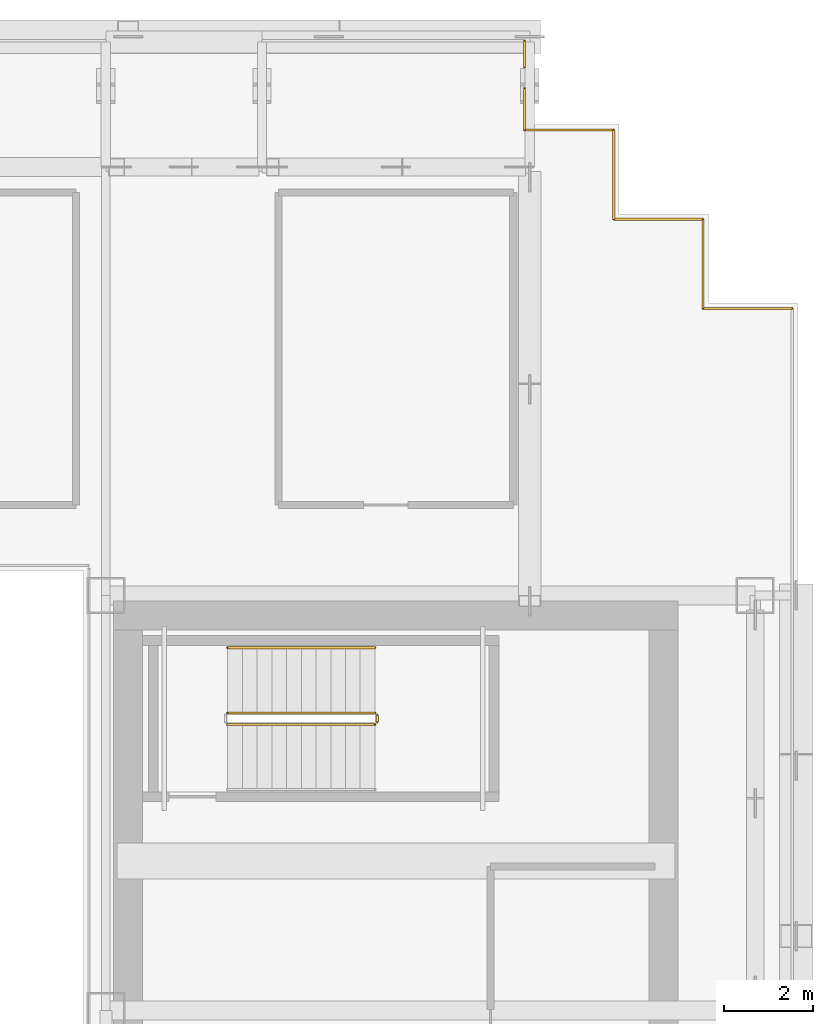
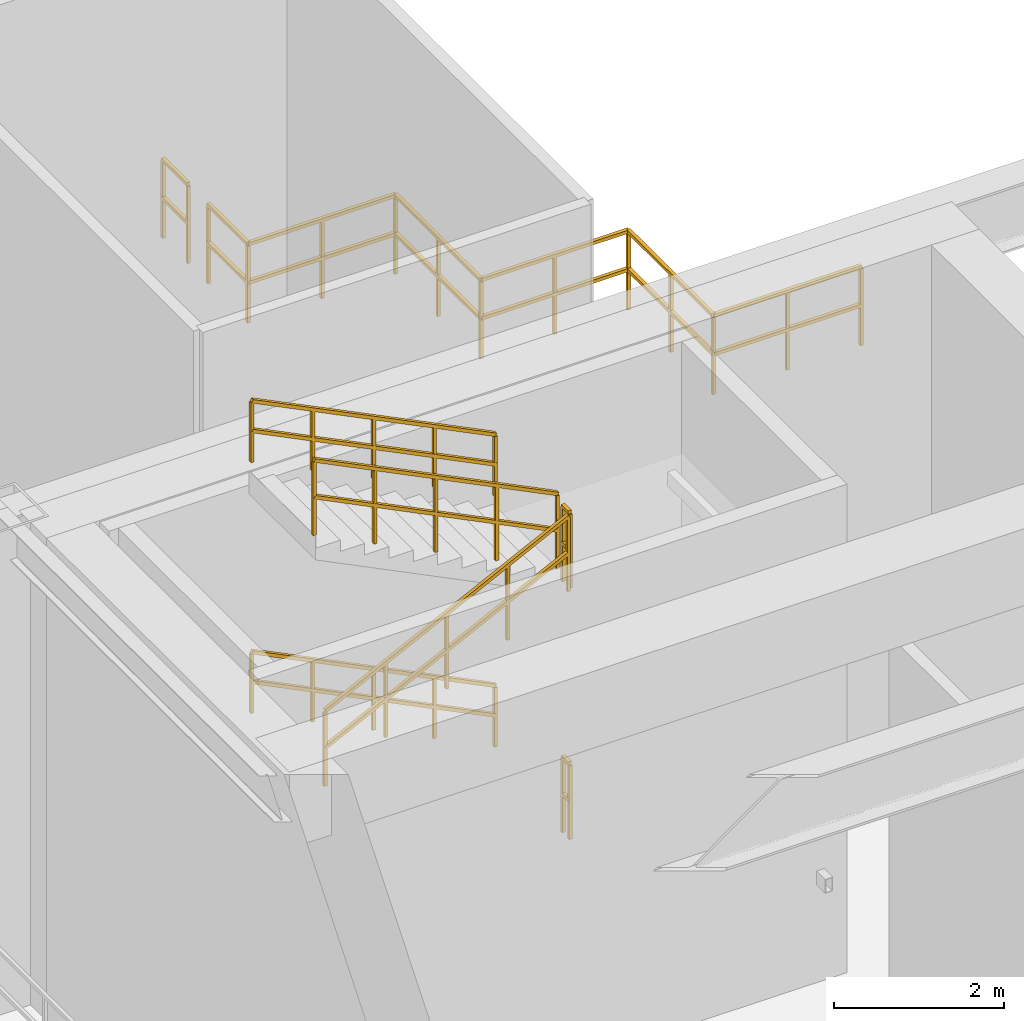
# One storey, part 14 of 14: 13 railings.
"""IFC4 building model written with IfcOpenShell, lengths in metres."""

from ifc_helpers import new_model, si_unit, direction, frame, origin, origin_2d, place, context, subcontext, project, spatial, rectangle, extrude, material, type_object, element, save


model = new_model("IFC4")

# Units and contexts
model_context = context("Model", 3, precision=1e-05, world=origin(), true_north=direction((0.0, 1.0)))
body_context = subcontext(model_context, "Body", "Model", "MODEL_VIEW")
ifc_project = project(units=[si_unit("LENGTHUNIT", "METRE"), si_unit("AREAUNIT", "SQUARE_METRE"), si_unit("VOLUMEUNIT", "CUBIC_METRE"), si_unit("PLANEANGLEUNIT", "RADIAN"), si_unit("MASSUNIT", "GRAM", prefix="KILO")], contexts=[model_context])

# Site, building, storey
site_placement = place(None, origin())
site = spatial("IfcSite", under=ifc_project, at=site_placement, CompositionType="ELEMENT")
building_placement = place(site_placement, origin())
building = spatial("IfcBuilding", under=site, at=building_placement, Name="Ocotamira Hotel", CompositionType="ELEMENT")
storey_placement = place(building_placement, frame((0.0, 0.0, 151.199951171875)))
storey = spatial("IfcBuildingStorey", under=building, at=storey_placement, Name="L38", CompositionType="ELEMENT", Elevation=151.199951171875)

# Railings
ifc_material_1 = material(Name="Brushed stainless steel handrail", Category="steel")
railing_type_1 = type_object("IfcRailingType", Name="RL-HAND-900", PredefinedType="HANDRAIL", material=ifc_material_1)
railing_1_placement = place(storey_placement, frame((46.530029296875, 36.280029296875, 2.12744140625)))
element("IfcRailing", 1, at=railing_1_placement, inside=storey, type_object=railing_type_1, Name="L38 ST-4 stair handrail 2", PredefinedType="HANDRAIL", context=body_context, shape_type="SweptSolid", body=[
    extrude(rectangle(XDim=0.048095703125, YDim=0.048095703125, at=origin_2d()), frame((0.0, 0.0, 0.8759765625), z_axis=(-0.895920123917, 0.0, 0.444215186098), x_axis=(0.0, -1.0, 0.0)), (0.0, 0.0, 1.0), 3.683349609375),
    extrude(rectangle(XDim=0.048095703125, YDim=0.048095703125, at=origin_2d()), frame((0.0, 0.0, 0.449951171875), z_axis=(-0.895920123917, 0.0, 0.444215186098), x_axis=(0.0, -1.0, 0.0)), (0.0, 0.0, 1.0), 3.683349609375),
    extrude(rectangle(XDim=0.0419921875, YDim=0.0419921875, at=origin_2d()), origin(), (0.0, 0.0, 1.0), 0.851806640625),
    extrude(rectangle(XDim=0.0419921875, YDim=0.0419921875, at=origin_2d()), frame((-0.824951171875, 0.0, 0.4091796875)), (0.0, 0.0, 1.0), 0.851806640625),
    extrude(rectangle(XDim=0.0419921875, YDim=0.0419921875, at=origin_2d()), frame((-1.64990234375, 0.0, 0.818115234375)), (0.0, 0.0, 1.0), 0.851806640625),
    extrude(rectangle(XDim=0.0419921875, YDim=0.0419921875, at=origin_2d()), frame((-2.47509765625, 0.0, 1.22705078125)), (0.0, 0.0, 1.0), 0.851806640625),
    extrude(rectangle(XDim=0.0419921875, YDim=0.0419921875, at=origin_2d()), frame((-3.300048828125, 0.0, 1.63623046875)), (0.0, 0.0, 1.0), 0.851806640625),
])
railing_2_placement = place(storey_placement, frame((46.530029296875, 36.280029296875, 5.727294921875)))
element("IfcRailing", 2, at=railing_2_placement, inside=storey, type_object=railing_type_1, Name="L38 ST-4 stair handrail 4", PredefinedType="HANDRAIL", context=body_context, shape_type="SweptSolid", body=[
    extrude(rectangle(XDim=0.048095703125, YDim=0.048095703125, at=origin_2d()), frame((0.0, 0.0, 0.8759765625), z_axis=(-0.895893744519, 0.0, 0.4442683857), x_axis=(0.0, -1.0, 0.0)), (0.0, 0.0, 1.0), 3.68359375),
    extrude(rectangle(XDim=0.048095703125, YDim=0.048095703125, at=origin_2d()), frame((0.0, 0.0, 0.449951171875), z_axis=(-0.895893744519, 0.0, 0.4442683857), x_axis=(0.0, -1.0, 0.0)), (0.0, 0.0, 1.0), 3.68359375),
    extrude(rectangle(XDim=0.0419921875, YDim=0.0419921875, at=origin_2d()), origin(), (0.0, 0.0, 1.0), 0.851806640625),
    extrude(rectangle(XDim=0.0419921875, YDim=0.0419921875, at=origin_2d()), frame((-0.824951171875, 0.0, 0.4091796875)), (0.0, 0.0, 1.0), 0.851806640625),
    extrude(rectangle(XDim=0.0419921875, YDim=0.0419921875, at=origin_2d()), frame((-1.64990234375, 0.0, 0.818359375)), (0.0, 0.0, 1.0), 0.851806640625),
    extrude(rectangle(XDim=0.0419921875, YDim=0.0419921875, at=origin_2d()), frame((-2.47509765625, 0.0, 1.227294921875)), (0.0, 0.0, 1.0), 0.851806640625),
    extrude(rectangle(XDim=0.0419921875, YDim=0.0419921875, at=origin_2d()), frame((-3.300048828125, 0.0, 1.636474609375)), (0.0, 0.0, 1.0), 0.851806640625),
])
ifc_material_2 = material(Name="Pale-metal stainless steel guardrail", Category="steel")
railing_type_2 = type_object("IfcRailingType", Name="RL-PERIM-1150", PredefinedType="GUARDRAIL", material=ifc_material_2)
railing_3_placement = place(storey_placement, frame((49.8798828125, 49.8798828125, 0.0)))
element("IfcRailing", 3, at=railing_3_placement, inside=storey, type_object=railing_type_2, Name="L38 Perimeter Guardrail WSLOT1-17", PredefinedType="GUARDRAIL", context=body_context, shape_type="SweptSolid", body=[
    extrude(rectangle(XDim=0.048095703125, YDim=0.048095703125, at=origin_2d()), frame((0.0, 0.0, 1.1259765625), z_axis=(0.0, -1.0, 0.0), x_axis=(1.0, 0.0, 0.0)), (0.0, 0.0, 1.0), 0.59228515625),
    extrude(rectangle(XDim=0.048095703125, YDim=0.048095703125, at=origin_2d()), frame((0.0, 0.0, 0.574951171875), z_axis=(0.0, -1.0, 0.0), x_axis=(1.0, 0.0, 0.0)), (0.0, 0.0, 1.0), 0.59228515625),
    extrude(rectangle(XDim=0.0419921875, YDim=0.0419921875, at=origin_2d()), origin(), (0.0, 0.0, 1.0), 1.101806640625),
    extrude(rectangle(XDim=0.0419921875, YDim=0.0419921875, at=origin_2d()), frame((0.0, -0.59228515625, 0.0)), (0.0, 0.0, 1.0), 1.101806640625),
])
railing_4_placement = place(storey_placement, frame((49.8798828125, 48.8125, 0.0)))
element("IfcRailing", 4, at=railing_4_placement, inside=storey, type_object=railing_type_2, Name="L38 Perimeter Guardrail WSLOT1-18", PredefinedType="GUARDRAIL", context=body_context, shape_type="SweptSolid", body=[
    extrude(rectangle(XDim=0.048095703125, YDim=0.048095703125, at=origin_2d()), frame((0.0, 0.0, 1.1259765625), z_axis=(0.0, -1.0, 0.0), x_axis=(1.0, 0.0, 0.0)), (0.0, 0.0, 1.0), 0.9326171875),
    extrude(rectangle(XDim=0.048095703125, YDim=0.048095703125, at=origin_2d()), frame((0.0, 0.0, 0.574951171875), z_axis=(0.0, -1.0, 0.0), x_axis=(1.0, 0.0, 0.0)), (0.0, 0.0, 1.0), 0.9326171875),
    extrude(rectangle(XDim=0.0419921875, YDim=0.0419921875, at=origin_2d()), origin(), (0.0, 0.0, 1.0), 1.101806640625),
    extrude(rectangle(XDim=0.0419921875, YDim=0.0419921875, at=origin_2d()), frame((0.0, -0.9326171875, 0.0)), (0.0, 0.0, 1.0), 1.101806640625),
])
railing_5_placement = place(storey_placement, frame((49.8798828125, 47.8798828125, 0.0)))
element("IfcRailing", 5, at=railing_5_placement, inside=storey, type_object=railing_type_2, Name="L38 Perimeter Guardrail WSLOT1-19", PredefinedType="GUARDRAIL", context=body_context, shape_type="SweptSolid", body=[
    extrude(rectangle(XDim=0.048095703125, YDim=0.048095703125, at=origin_2d()), frame((0.0, 0.0, 1.1259765625), z_axis=(1.0, 0.0, 0.0), x_axis=(0.0, 1.0, 0.0)), (0.0, 0.0, 1.0), 2.0),
    extrude(rectangle(XDim=0.048095703125, YDim=0.048095703125, at=origin_2d()), frame((0.0, 0.0, 0.574951171875), z_axis=(1.0, 0.0, 0.0), x_axis=(0.0, 1.0, 0.0)), (0.0, 0.0, 1.0), 2.0),
    extrude(rectangle(XDim=0.0419921875, YDim=0.0419921875, at=origin_2d()), origin(), (0.0, 0.0, 1.0), 1.101806640625),
    extrude(rectangle(XDim=0.0419921875, YDim=0.0419921875, at=origin_2d()), frame((1.0, 0.0, 0.0)), (0.0, 0.0, 1.0), 1.101806640625),
    extrude(rectangle(XDim=0.0419921875, YDim=0.0419921875, at=origin_2d()), frame((2.0, 0.0, 0.0)), (0.0, 0.0, 1.0), 1.101806640625),
])
railing_6_placement = place(storey_placement, frame((51.8798828125, 47.8798828125, 0.0)))
element("IfcRailing", 6, at=railing_6_placement, inside=storey, type_object=railing_type_2, Name="L38 Perimeter Guardrail WSLOT1-20", PredefinedType="GUARDRAIL", context=body_context, shape_type="SweptSolid", body=[
    extrude(rectangle(XDim=0.048095703125, YDim=0.048095703125, at=origin_2d()), frame((0.0, 0.0, 1.1259765625), z_axis=(0.0, -1.0, 0.0), x_axis=(1.0, 0.0, 0.0)), (0.0, 0.0, 1.0), 2.0),
    extrude(rectangle(XDim=0.048095703125, YDim=0.048095703125, at=origin_2d()), frame((0.0, 0.0, 0.574951171875), z_axis=(0.0, -1.0, 0.0), x_axis=(1.0, 0.0, 0.0)), (0.0, 0.0, 1.0), 2.0),
    extrude(rectangle(XDim=0.0419921875, YDim=0.0419921875, at=origin_2d()), origin(), (0.0, 0.0, 1.0), 1.101806640625),
    extrude(rectangle(XDim=0.0419921875, YDim=0.0419921875, at=origin_2d()), frame((0.0, -1.0, 0.0)), (0.0, 0.0, 1.0), 1.101806640625),
    extrude(rectangle(XDim=0.0419921875, YDim=0.0419921875, at=origin_2d()), frame((0.0, -2.0, 0.0)), (0.0, 0.0, 1.0), 1.101806640625),
])
railing_7_placement = place(storey_placement, frame((51.8798828125, 45.8798828125, 0.0)))
element("IfcRailing", 7, at=railing_7_placement, inside=storey, type_object=railing_type_2, Name="L38 Perimeter Guardrail WSLOT1-21", PredefinedType="GUARDRAIL", context=body_context, shape_type="SweptSolid", body=[
    extrude(rectangle(XDim=0.048095703125, YDim=0.048095703125, at=origin_2d()), frame((0.0, 0.0, 1.1259765625), z_axis=(1.0, 0.0, 0.0), x_axis=(0.0, 1.0, 0.0)), (0.0, 0.0, 1.0), 2.0),
    extrude(rectangle(XDim=0.048095703125, YDim=0.048095703125, at=origin_2d()), frame((0.0, 0.0, 0.574951171875), z_axis=(1.0, 0.0, 0.0), x_axis=(0.0, 1.0, 0.0)), (0.0, 0.0, 1.0), 2.0),
    extrude(rectangle(XDim=0.0419921875, YDim=0.0419921875, at=origin_2d()), origin(), (0.0, 0.0, 1.0), 1.101806640625),
    extrude(rectangle(XDim=0.0419921875, YDim=0.0419921875, at=origin_2d()), frame((1.0, 0.0, 0.0)), (0.0, 0.0, 1.0), 1.101806640625),
    extrude(rectangle(XDim=0.0419921875, YDim=0.0419921875, at=origin_2d()), frame((2.0, 0.0, 0.0)), (0.0, 0.0, 1.0), 1.101806640625),
])
railing_8_placement = place(storey_placement, frame((53.8798828125, 45.8798828125, 0.0)))
element("IfcRailing", 8, at=railing_8_placement, inside=storey, type_object=railing_type_2, Name="L38 Perimeter Guardrail WSLOT1-22", PredefinedType="GUARDRAIL", context=body_context, shape_type="SweptSolid", body=[
    extrude(rectangle(XDim=0.048095703125, YDim=0.048095703125, at=origin_2d()), frame((0.0, 0.0, 1.1259765625), z_axis=(0.0, -1.0, 0.0), x_axis=(1.0, 0.0, 0.0)), (0.0, 0.0, 1.0), 2.0),
    extrude(rectangle(XDim=0.048095703125, YDim=0.048095703125, at=origin_2d()), frame((0.0, 0.0, 0.574951171875), z_axis=(0.0, -1.0, 0.0), x_axis=(1.0, 0.0, 0.0)), (0.0, 0.0, 1.0), 2.0),
    extrude(rectangle(XDim=0.0419921875, YDim=0.0419921875, at=origin_2d()), origin(), (0.0, 0.0, 1.0), 1.101806640625),
    extrude(rectangle(XDim=0.0419921875, YDim=0.0419921875, at=origin_2d()), frame((0.0, -1.0, 0.0)), (0.0, 0.0, 1.0), 1.101806640625),
    extrude(rectangle(XDim=0.0419921875, YDim=0.0419921875, at=origin_2d()), frame((0.0, -2.0, 0.0)), (0.0, 0.0, 1.0), 1.101806640625),
])
railing_9_placement = place(storey_placement, frame((53.8798828125, 43.8798828125, 0.0)))
element("IfcRailing", 9, at=railing_9_placement, inside=storey, type_object=railing_type_2, Name="L38 Perimeter Guardrail WSLOT1-23", PredefinedType="GUARDRAIL", context=body_context, shape_type="SweptSolid", body=[
    extrude(rectangle(XDim=0.048095703125, YDim=0.048095703125, at=origin_2d()), frame((0.0, 0.0, 1.1259765625), z_axis=(1.0, 0.0, 0.0), x_axis=(0.0, 1.0, 0.0)), (0.0, 0.0, 1.0), 2.0),
    extrude(rectangle(XDim=0.048095703125, YDim=0.048095703125, at=origin_2d()), frame((0.0, 0.0, 0.574951171875), z_axis=(1.0, 0.0, 0.0), x_axis=(0.0, 1.0, 0.0)), (0.0, 0.0, 1.0), 2.0),
    extrude(rectangle(XDim=0.0419921875, YDim=0.0419921875, at=origin_2d()), origin(), (0.0, 0.0, 1.0), 1.101806640625),
    extrude(rectangle(XDim=0.0419921875, YDim=0.0419921875, at=origin_2d()), frame((1.0, 0.0, 0.0)), (0.0, 0.0, 1.0), 1.101806640625),
    extrude(rectangle(XDim=0.0419921875, YDim=0.0419921875, at=origin_2d()), frame((2.0, 0.0, 0.0)), (0.0, 0.0, 1.0), 1.101806640625),
])
ifc_material_3 = material(Name="Painted steel stair guardrail", Category="steel")
railing_type_3 = type_object("IfcRailingType", Name="RL-STAIR-1100", PredefinedType="GUARDRAIL", material=ifc_material_3)
railing_10_placement = place(storey_placement, frame((46.580078125, 34.610107421875, 1.800048828125)))
element("IfcRailing", 10, at=railing_10_placement, inside=storey, type_object=railing_type_3, Name="L38 ST-4 stair guard 2", PredefinedType="GUARDRAIL", context=body_context, shape_type="SweptSolid", body=[
    extrude(rectangle(XDim=0.048095703125, YDim=0.048095703125, at=origin_2d()), frame((0.0, 0.0, 1.076171875), z_axis=(0.0, 1.0, 0.0), x_axis=(-1.0, 0.0, 0.0)), (0.0, 0.0, 1.0), 0.159912109375),
    extrude(rectangle(XDim=0.048095703125, YDim=0.048095703125, at=origin_2d()), frame((0.0, 0.0, 0.550048828125), z_axis=(0.0, 1.0, 0.0), x_axis=(-1.0, 0.0, 0.0)), (0.0, 0.0, 1.0), 0.159912109375),
    extrude(rectangle(XDim=0.0419921875, YDim=0.0419921875, at=origin_2d()), origin(), (0.0, 0.0, 1.0), 1.052001953125),
    extrude(rectangle(XDim=0.0419921875, YDim=0.0419921875, at=origin_2d()), frame((0.0, 0.159912109375, 0.0)), (0.0, 0.0, 1.0), 1.052001953125),
])
railing_11_placement = place(storey_placement, frame((43.22998046875, 34.56005859375, 3.763671875)))
element("IfcRailing", 11, at=railing_11_placement, inside=storey, type_object=railing_type_3, Name="L38 ST-4 stair guard 5", PredefinedType="GUARDRAIL", context=body_context, shape_type="SweptSolid", body=[
    extrude(rectangle(XDim=0.048095703125, YDim=0.048095703125, at=origin_2d()), frame((0.0, 0.0, 1.076171875), z_axis=(0.895893744519, 0.0, 0.4442683857), x_axis=(0.0, 1.0, 0.0)), (0.0, 0.0, 1.0), 3.68359375),
    extrude(rectangle(XDim=0.048095703125, YDim=0.048095703125, at=origin_2d()), frame((0.0, 0.0, 0.550048828125), z_axis=(0.895893744519, 0.0, 0.4442683857), x_axis=(0.0, 1.0, 0.0)), (0.0, 0.0, 1.0), 3.68359375),
    extrude(rectangle(XDim=0.0419921875, YDim=0.0419921875, at=origin_2d()), origin(), (0.0, 0.0, 1.0), 1.052001953125),
    extrude(rectangle(XDim=0.0419921875, YDim=0.0419921875, at=origin_2d()), frame((0.824951171875, 0.0, 0.4091796875)), (0.0, 0.0, 1.0), 1.052001953125),
    extrude(rectangle(XDim=0.0419921875, YDim=0.0419921875, at=origin_2d()), frame((1.64990234375, 0.0, 0.818359375)), (0.0, 0.0, 1.0), 1.052001953125),
    extrude(rectangle(XDim=0.0419921875, YDim=0.0419921875, at=origin_2d()), frame((2.47509765625, 0.0, 1.227294921875)), (0.0, 0.0, 1.0), 1.052001953125),
    extrude(rectangle(XDim=0.0419921875, YDim=0.0419921875, at=origin_2d()), frame((3.300048828125, 0.0, 1.636474609375)), (0.0, 0.0, 1.0), 1.052001953125),
])
railing_12_placement = place(storey_placement, frame((46.580078125, 34.610107421875, 5.400146484375)))
element("IfcRailing", 12, at=railing_12_placement, inside=storey, type_object=railing_type_3, Name="L38 ST-4 stair guard 6", PredefinedType="GUARDRAIL", context=body_context, shape_type="SweptSolid", body=[
    extrude(rectangle(XDim=0.048095703125, YDim=0.048095703125, at=origin_2d()), frame((0.0, 0.0, 1.076171875), z_axis=(0.0, 1.0, 0.0), x_axis=(-1.0, 0.0, 0.0)), (0.0, 0.0, 1.0), 0.159912109375),
    extrude(rectangle(XDim=0.048095703125, YDim=0.048095703125, at=origin_2d()), frame((0.0, 0.0, 0.550048828125), z_axis=(0.0, 1.0, 0.0), x_axis=(-1.0, 0.0, 0.0)), (0.0, 0.0, 1.0), 0.159912109375),
    extrude(rectangle(XDim=0.0419921875, YDim=0.0419921875, at=origin_2d()), origin(), (0.0, 0.0, 1.0), 1.052001953125),
    extrude(rectangle(XDim=0.0419921875, YDim=0.0419921875, at=origin_2d()), frame((0.0, 0.159912109375, 0.0)), (0.0, 0.0, 1.0), 1.052001953125),
])
railing_13_placement = place(storey_placement, frame((46.530029296875, 34.820068359375, 5.563720703125)))
element("IfcRailing", 13, at=railing_13_placement, inside=storey, type_object=railing_type_3, Name="L38 ST-4 stair guard 7", PredefinedType="GUARDRAIL", context=body_context, shape_type="SweptSolid", body=[
    extrude(rectangle(XDim=0.048095703125, YDim=0.048095703125, at=origin_2d()), frame((0.0, 0.0, 1.076171875), z_axis=(-0.895920123917, 0.0, 0.444215186098), x_axis=(0.0, -1.0, 0.0)), (0.0, 0.0, 1.0), 3.683349609375),
    extrude(rectangle(XDim=0.048095703125, YDim=0.048095703125, at=origin_2d()), frame((0.0, 0.0, 0.550048828125), z_axis=(-0.895920123917, 0.0, 0.444215186098), x_axis=(0.0, -1.0, 0.0)), (0.0, 0.0, 1.0), 3.683349609375),
    extrude(rectangle(XDim=0.0419921875, YDim=0.0419921875, at=origin_2d()), origin(), (0.0, 0.0, 1.0), 1.052001953125),
    extrude(rectangle(XDim=0.0419921875, YDim=0.0419921875, at=origin_2d()), frame((-0.824951171875, 0.0, 0.4091796875)), (0.0, 0.0, 1.0), 1.052001953125),
    extrude(rectangle(XDim=0.0419921875, YDim=0.0419921875, at=origin_2d()), frame((-1.64990234375, 0.0, 0.818115234375)), (0.0, 0.0, 1.0), 1.052001953125),
    extrude(rectangle(XDim=0.0419921875, YDim=0.0419921875, at=origin_2d()), frame((-2.47509765625, 0.0, 1.22705078125)), (0.0, 0.0, 1.0), 1.052001953125),
    extrude(rectangle(XDim=0.0419921875, YDim=0.0419921875, at=origin_2d()), frame((-3.300048828125, 0.0, 1.63623046875)), (0.0, 0.0, 1.0), 1.052001953125),
])

save(model, "model.ifc")
